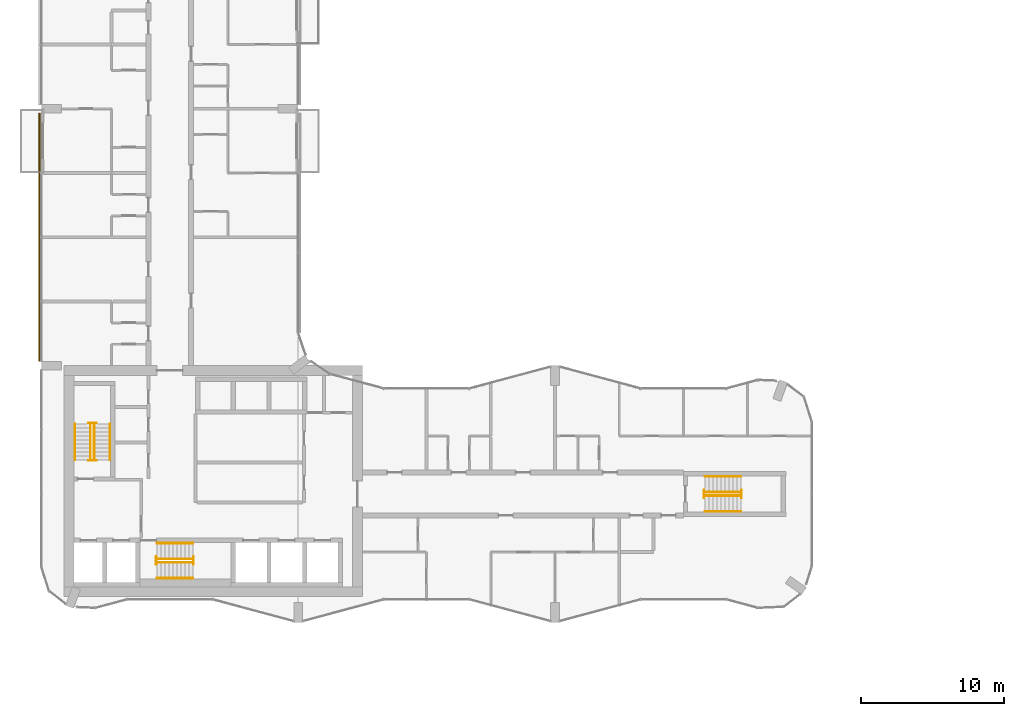
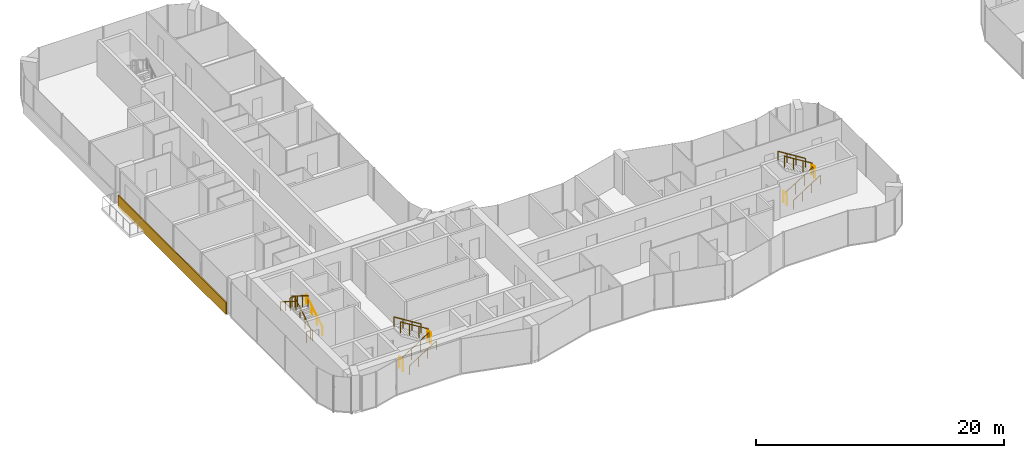
# One storey, part 20 of 22: 18 railings, 1 covering.
"""IFC4 building model written with IfcOpenShell, lengths in metres."""

from ifc_helpers import new_model, si_unit, direction, frame, origin, origin_2d, place, context, subcontext, project, spatial, rectangle, circle, extrude, material, layer, layer_set, type_object, element, save


model = new_model("IFC4")

# Units and contexts
model_context = context("Model", 3, precision=1e-05, world=origin(), true_north=direction((0.0, 1.0)))
body_context = subcontext(model_context, "Body", "Model", "MODEL_VIEW")
ifc_project = project(units=[si_unit("LENGTHUNIT", "METRE"), si_unit("AREAUNIT", "SQUARE_METRE"), si_unit("VOLUMEUNIT", "CUBIC_METRE"), si_unit("PLANEANGLEUNIT", "RADIAN"), si_unit("MASSUNIT", "GRAM", prefix="KILO")], contexts=[model_context])

# Site, building, storey
site_placement = place(None, origin())
site = spatial("IfcSite", under=ifc_project, at=site_placement, CompositionType="ELEMENT")
building_placement = place(site_placement, origin())
building = spatial("IfcBuilding", under=site, at=building_placement, Name="Plateau Cross Towers", CompositionType="ELEMENT")
storey_placement = place(building_placement, frame((0.0, 0.0, 65.300048828125)))
storey = spatial("IfcBuildingStorey", under=building, at=storey_placement, Name="L16", CompositionType="ELEMENT", Elevation=65.300048828125)

# Railings
ifc_material_1 = material(Name="Stainless steel and toughened glass", Category="steel")
railing_type_1 = type_object("IfcRailingType", Name="RL-GUARD-1100", PredefinedType="GUARDRAIL", material=ifc_material_1)
railing_1_placement = place(storey_placement, frame((3.699951171875, 11.39990234375, 0.175048828125)))
element("IfcRailing", 1, at=railing_1_placement, inside=storey, type_object=railing_type_1, Name="L16 ST-1 stair guard 1", PredefinedType="GUARDRAIL", context=body_context, shape_type="SweptSolid", body=[
    extrude(circle(Radius=0.02392578125, at=origin_2d()), frame((0.0, 0.0, 1.076171875), z_axis=(0.0, 0.848007534815, 0.529984170421), x_axis=(-1.0, 0.0, 0.0)), (0.0, 0.0, 1.0), 2.9716796875),
    extrude(circle(Radius=0.02099609375, at=origin_2d()), origin(), (0.0, 0.0, 1.0), 1.052001953125),
    extrude(circle(Radius=0.02099609375, at=origin_2d()), frame((0.0, 0.840087890625, 0.52490234375)), (0.0, 0.0, 1.0), 1.052001953125),
    extrude(circle(Radius=0.02099609375, at=origin_2d()), frame((0.0, 1.679931640625, 1.050048828125)), (0.0, 0.0, 1.0), 1.052001953125),
    extrude(circle(Radius=0.02099609375, at=origin_2d()), frame((0.0, 2.52001953125, 1.574951171875)), (0.0, 0.0, 1.0), 1.052001953125),
])
railing_2_placement = place(storey_placement, frame((3.85009765625, 13.969970703125, 1.75)))
element("IfcRailing", 2, at=railing_2_placement, inside=storey, type_object=railing_type_1, Name="L16 ST-1 stair guard 2", PredefinedType="GUARDRAIL", context=body_context, shape_type="SweptSolid", body=[
    extrude(circle(Radius=0.02392578125, at=origin_2d()), frame((0.0, 0.0, 1.076171875), z_axis=(-1.0, 0.0, 0.0), x_axis=(0.0, -1.0, 0.0)), (0.0, 0.0, 1.0), 0.550048828125),
    extrude(circle(Radius=0.02099609375, at=origin_2d()), origin(), (0.0, 0.0, 1.0), 1.052001953125),
    extrude(circle(Radius=0.02099609375, at=origin_2d()), frame((-0.550048828125, 0.0, 0.0)), (0.0, 0.0, 1.0), 1.052001953125),
])
railing_3_placement = place(storey_placement, frame((3.449951171875, 13.919921875, 1.925048828125)))
element("IfcRailing", 3, at=railing_3_placement, inside=storey, type_object=railing_type_1, Name="L16 ST-1 stair guard 3", PredefinedType="GUARDRAIL", context=body_context, shape_type="SweptSolid", body=[
    extrude(circle(Radius=0.02392578125, at=origin_2d()), frame((0.0, 0.0, 1.076171875), z_axis=(0.0, -0.852616386126, 0.522537365276), x_axis=(1.0, 0.0, 0.0)), (0.0, 0.0, 1.0), 3.01416015625),
    extrude(circle(Radius=0.02099609375, at=origin_2d()), origin(), (0.0, 0.0, 1.0), 1.052001953125),
    extrude(circle(Radius=0.02099609375, at=origin_2d()), frame((0.0, -0.856689453125, 0.52490234375)), (0.0, 0.0, 1.0), 1.052001953125),
    extrude(circle(Radius=0.02099609375, at=origin_2d()), frame((0.0, -1.713134765625, 1.050048828125)), (0.0, 0.0, 1.0), 1.052001953125),
    extrude(circle(Radius=0.02099609375, at=origin_2d()), frame((0.0, -2.56982421875, 1.574951171875)), (0.0, 0.0, 1.0), 1.052001953125),
])
railing_4_placement = place(storey_placement, frame((3.85009765625, 11.35009765625, 0.0)))
element("IfcRailing", 4, at=railing_4_placement, inside=storey, type_object=railing_type_1, Name="L16 ST-1 stair guard 4", PredefinedType="GUARDRAIL", context=body_context, shape_type="SweptSolid", body=[
    extrude(circle(Radius=0.02392578125, at=origin_2d()), frame((0.0, 0.0, 1.076171875), z_axis=(-1.0, 0.0, 0.0), x_axis=(0.0, -1.0, 0.0)), (0.0, 0.0, 1.0), 0.550048828125),
    extrude(circle(Radius=0.02099609375, at=origin_2d()), origin(), (0.0, 0.0, 1.0), 1.052001953125),
    extrude(circle(Radius=0.02099609375, at=origin_2d()), frame((-0.550048828125, 0.0, 0.0)), (0.0, 0.0, 1.0), 1.052001953125),
])
railing_5_placement = place(storey_placement, frame((8.10009765625, 4.199951171875, 0.175048828125)))
element("IfcRailing", 5, at=railing_5_placement, inside=storey, type_object=railing_type_1, Name="L16 ST-2 stair guard 1", PredefinedType="GUARDRAIL", context=body_context, shape_type="SweptSolid", body=[
    extrude(circle(Radius=0.02392578125, at=origin_2d()), frame((0.0, 0.0, 1.076171875), z_axis=(0.848007534815, 0.0, 0.529984170421), x_axis=(0.0, 1.0, 0.0)), (0.0, 0.0, 1.0), 2.9716796875),
    extrude(circle(Radius=0.02099609375, at=origin_2d()), origin(), (0.0, 0.0, 1.0), 1.052001953125),
    extrude(circle(Radius=0.02099609375, at=origin_2d()), frame((0.840087890625, 0.0, 0.52490234375)), (0.0, 0.0, 1.0), 1.052001953125),
    extrude(circle(Radius=0.02099609375, at=origin_2d()), frame((1.679931640625, 0.0, 1.050048828125)), (0.0, 0.0, 1.0), 1.052001953125),
    extrude(circle(Radius=0.02099609375, at=origin_2d()), frame((2.52001953125, 0.0, 1.574951171875)), (0.0, 0.0, 1.0), 1.052001953125),
])
railing_6_placement = place(storey_placement, frame((10.669921875, 4.050048828125, 1.75)))
element("IfcRailing", 6, at=railing_6_placement, inside=storey, type_object=railing_type_1, Name="L16 ST-2 stair guard 2", PredefinedType="GUARDRAIL", context=body_context, shape_type="SweptSolid", body=[
    extrude(circle(Radius=0.02392578125, at=origin_2d()), frame((0.0, 0.0, 1.076171875), z_axis=(0.0, 1.0, 0.0), x_axis=(-1.0, 0.0, 0.0)), (0.0, 0.0, 1.0), 0.550048828125),
    extrude(circle(Radius=0.02099609375, at=origin_2d()), origin(), (0.0, 0.0, 1.0), 1.052001953125),
    extrude(circle(Radius=0.02099609375, at=origin_2d()), frame((0.0, 0.550048828125, 0.0)), (0.0, 0.0, 1.0), 1.052001953125),
])
railing_7_placement = place(storey_placement, frame((10.6201171875, 4.449951171875, 1.925048828125)))
element("IfcRailing", 7, at=railing_7_placement, inside=storey, type_object=railing_type_1, Name="L16 ST-2 stair guard 3", PredefinedType="GUARDRAIL", context=body_context, shape_type="SweptSolid", body=[
    extrude(circle(Radius=0.02392578125, at=origin_2d()), frame((0.0, 0.0, 1.076171875), z_axis=(-0.852638500773, 0.0, 0.522501279423), x_axis=(0.0, -1.0, 0.0)), (0.0, 0.0, 1.0), 3.01416015625),
    extrude(circle(Radius=0.02099609375, at=origin_2d()), origin(), (0.0, 0.0, 1.0), 1.052001953125),
    extrude(circle(Radius=0.02099609375, at=origin_2d()), frame((-0.856689453125, 0.0, 0.52490234375)), (0.0, 0.0, 1.0), 1.052001953125),
    extrude(circle(Radius=0.02099609375, at=origin_2d()), frame((-1.71337890625, 0.0, 1.050048828125)), (0.0, 0.0, 1.0), 1.052001953125),
    extrude(circle(Radius=0.02099609375, at=origin_2d()), frame((-2.570068359375, 0.0, 1.574951171875)), (0.0, 0.0, 1.0), 1.052001953125),
])
railing_8_placement = place(storey_placement, frame((8.050048828125, 4.050048828125, 0.0)))
element("IfcRailing", 8, at=railing_8_placement, inside=storey, type_object=railing_type_1, Name="L16 ST-2 stair guard 4", PredefinedType="GUARDRAIL", context=body_context, shape_type="SweptSolid", body=[
    extrude(circle(Radius=0.02392578125, at=origin_2d()), frame((0.0, 0.0, 1.076171875), z_axis=(0.0, 1.0, 0.0), x_axis=(-1.0, 0.0, 0.0)), (0.0, 0.0, 1.0), 0.550048828125),
    extrude(circle(Radius=0.02099609375, at=origin_2d()), origin(), (0.0, 0.0, 1.0), 1.052001953125),
    extrude(circle(Radius=0.02099609375, at=origin_2d()), frame((0.0, 0.550048828125, 0.0)), (0.0, 0.0, 1.0), 1.052001953125),
])
railing_9_placement = place(storey_placement, frame((46.5, 8.875, 0.175048828125)))
element("IfcRailing", 9, at=railing_9_placement, inside=storey, type_object=railing_type_1, Name="L16 ES-E stair guard 1", PredefinedType="GUARDRAIL", context=body_context, shape_type="SweptSolid", body=[
    extrude(circle(Radius=0.02392578125, at=origin_2d()), frame((0.0, 0.0, 1.076171875), z_axis=(0.848007534815, 0.0, 0.529984170421), x_axis=(0.0, 1.0, 0.0)), (0.0, 0.0, 1.0), 2.9716796875),
    extrude(circle(Radius=0.02099609375, at=origin_2d()), origin(), (0.0, 0.0, 1.0), 1.052001953125),
    extrude(circle(Radius=0.02099609375, at=origin_2d()), frame((0.840087890625, 0.0, 0.52490234375)), (0.0, 0.0, 1.0), 1.052001953125),
    extrude(circle(Radius=0.02099609375, at=origin_2d()), frame((1.679931640625, 0.0, 1.050048828125)), (0.0, 0.0, 1.0), 1.052001953125),
    extrude(circle(Radius=0.02099609375, at=origin_2d()), frame((2.52001953125, 0.0, 1.574951171875)), (0.0, 0.0, 1.0), 1.052001953125),
])
railing_10_placement = place(storey_placement, frame((49.070068359375, 8.72509765625, 1.75)))
element("IfcRailing", 10, at=railing_10_placement, inside=storey, type_object=railing_type_1, Name="L16 ES-E stair guard 2", PredefinedType="GUARDRAIL", context=body_context, shape_type="SweptSolid", body=[
    extrude(circle(Radius=0.02392578125, at=origin_2d()), frame((0.0, 0.0, 1.076171875), z_axis=(0.0, 1.0, 0.0), x_axis=(-1.0, 0.0, 0.0)), (0.0, 0.0, 1.0), 0.5498046875),
    extrude(circle(Radius=0.02099609375, at=origin_2d()), origin(), (0.0, 0.0, 1.0), 1.052001953125),
    extrude(circle(Radius=0.02099609375, at=origin_2d()), frame((0.0, 0.5498046875, 0.0)), (0.0, 0.0, 1.0), 1.052001953125),
])
railing_11_placement = place(storey_placement, frame((49.02001953125, 9.125, 1.925048828125)))
element("IfcRailing", 11, at=railing_11_placement, inside=storey, type_object=railing_type_1, Name="L16 ES-E stair guard 3", PredefinedType="GUARDRAIL", context=body_context, shape_type="SweptSolid", body=[
    extrude(circle(Radius=0.02392578125, at=origin_2d()), frame((0.0, 0.0, 1.076171875), z_axis=(-0.852638500773, 0.0, 0.522501279423), x_axis=(0.0, -1.0, 0.0)), (0.0, 0.0, 1.0), 3.01416015625),
    extrude(circle(Radius=0.02099609375, at=origin_2d()), origin(), (0.0, 0.0, 1.0), 1.052001953125),
    extrude(circle(Radius=0.02099609375, at=origin_2d()), frame((-0.856689453125, 0.0, 0.52490234375)), (0.0, 0.0, 1.0), 1.052001953125),
    extrude(circle(Radius=0.02099609375, at=origin_2d()), frame((-1.71337890625, 0.0, 1.050048828125)), (0.0, 0.0, 1.0), 1.052001953125),
    extrude(circle(Radius=0.02099609375, at=origin_2d()), frame((-2.570068359375, 0.0, 1.574951171875)), (0.0, 0.0, 1.0), 1.052001953125),
])
railing_12_placement = place(storey_placement, frame((46.449951171875, 8.72509765625, 0.0)))
element("IfcRailing", 12, at=railing_12_placement, inside=storey, type_object=railing_type_1, Name="L16 ES-E stair guard 4", PredefinedType="GUARDRAIL", context=body_context, shape_type="SweptSolid", body=[
    extrude(circle(Radius=0.02392578125, at=origin_2d()), frame((0.0, 0.0, 1.076171875), z_axis=(0.0, 1.0, 0.0), x_axis=(-1.0, 0.0, 0.0)), (0.0, 0.0, 1.0), 0.5498046875),
    extrude(circle(Radius=0.02099609375, at=origin_2d()), origin(), (0.0, 0.0, 1.0), 1.052001953125),
    extrude(circle(Radius=0.02099609375, at=origin_2d()), frame((0.0, 0.5498046875, 0.0)), (0.0, 0.0, 1.0), 1.052001953125),
])
ifc_material_2 = material(Name="Black anodised aluminium", Category="aluminium")
railing_type_2 = type_object("IfcRailingType", Name="RL-HANDRAIL-900", PredefinedType="HANDRAIL", material=ifc_material_2)
railing_13_placement = place(storey_placement, frame((4.800048828125, 11.39990234375, 0.175048828125)))
element("IfcRailing", 13, at=railing_13_placement, inside=storey, type_object=railing_type_2, Name="L16 ST-1 stair handrail 1", PredefinedType="HANDRAIL", context=body_context, shape_type="SweptSolid", body=[
    extrude(circle(Radius=0.02392578125, at=origin_2d()), frame((0.0, 0.0, 0.8759765625), z_axis=(0.0, 0.848007534815, 0.529984170421), x_axis=(-1.0, 0.0, 0.0)), (0.0, 0.0, 1.0), 2.9716796875),
    extrude(circle(Radius=0.02099609375, at=origin_2d()), origin(), (0.0, 0.0, 1.0), 0.851806640625),
    extrude(circle(Radius=0.02099609375, at=origin_2d()), frame((0.0, 0.840087890625, 0.52490234375)), (0.0, 0.0, 1.0), 0.851806640625),
    extrude(circle(Radius=0.02099609375, at=origin_2d()), frame((0.0, 1.679931640625, 1.050048828125)), (0.0, 0.0, 1.0), 0.851806640625),
    extrude(circle(Radius=0.02099609375, at=origin_2d()), frame((0.0, 2.52001953125, 1.574951171875)), (0.0, 0.0, 1.0), 0.851806640625),
])
railing_14_placement = place(storey_placement, frame((2.35009765625, 13.919921875, 1.925048828125)))
element("IfcRailing", 14, at=railing_14_placement, inside=storey, type_object=railing_type_2, Name="L16 ST-1 stair handrail 2", PredefinedType="HANDRAIL", context=body_context, shape_type="SweptSolid", body=[
    extrude(circle(Radius=0.02392578125, at=origin_2d()), frame((0.0, 0.0, 0.8759765625), z_axis=(0.0, -0.848007534815, 0.529984170421), x_axis=(1.0, 0.0, 0.0)), (0.0, 0.0, 1.0), 2.9716796875),
    extrude(circle(Radius=0.02099609375, at=origin_2d()), origin(), (0.0, 0.0, 1.0), 0.851806640625),
    extrude(circle(Radius=0.02099609375, at=origin_2d()), frame((0.0, -0.840087890625, 0.52490234375)), (0.0, 0.0, 1.0), 0.851806640625),
    extrude(circle(Radius=0.02099609375, at=origin_2d()), frame((0.0, -1.679931640625, 1.050048828125)), (0.0, 0.0, 1.0), 0.851806640625),
    extrude(circle(Radius=0.02099609375, at=origin_2d()), frame((0.0, -2.52001953125, 1.574951171875)), (0.0, 0.0, 1.0), 0.851806640625),
])
railing_15_placement = place(storey_placement, frame((8.10009765625, 3.10009765625, 0.175048828125)))
element("IfcRailing", 15, at=railing_15_placement, inside=storey, type_object=railing_type_2, Name="L16 ST-2 stair handrail 1", PredefinedType="HANDRAIL", context=body_context, shape_type="SweptSolid", body=[
    extrude(circle(Radius=0.02392578125, at=origin_2d()), frame((0.0, 0.0, 0.8759765625), z_axis=(0.848007534815, 0.0, 0.529984170421), x_axis=(0.0, 1.0, 0.0)), (0.0, 0.0, 1.0), 2.9716796875),
    extrude(circle(Radius=0.02099609375, at=origin_2d()), origin(), (0.0, 0.0, 1.0), 0.851806640625),
    extrude(circle(Radius=0.02099609375, at=origin_2d()), frame((0.840087890625, 0.0, 0.52490234375)), (0.0, 0.0, 1.0), 0.851806640625),
    extrude(circle(Radius=0.02099609375, at=origin_2d()), frame((1.679931640625, 0.0, 1.050048828125)), (0.0, 0.0, 1.0), 0.851806640625),
    extrude(circle(Radius=0.02099609375, at=origin_2d()), frame((2.52001953125, 0.0, 1.574951171875)), (0.0, 0.0, 1.0), 0.851806640625),
])
railing_16_placement = place(storey_placement, frame((10.6201171875, 5.550048828125, 1.925048828125)))
element("IfcRailing", 16, at=railing_16_placement, inside=storey, type_object=railing_type_2, Name="L16 ST-2 stair handrail 2", PredefinedType="HANDRAIL", context=body_context, shape_type="SweptSolid", body=[
    extrude(circle(Radius=0.02392578125, at=origin_2d()), frame((0.0, 0.0, 0.8759765625), z_axis=(-0.848007534815, 0.0, 0.529984170421), x_axis=(0.0, -1.0, 0.0)), (0.0, 0.0, 1.0), 2.9716796875),
    extrude(circle(Radius=0.02099609375, at=origin_2d()), origin(), (0.0, 0.0, 1.0), 0.851806640625),
    extrude(circle(Radius=0.02099609375, at=origin_2d()), frame((-0.840087890625, 0.0, 0.52490234375)), (0.0, 0.0, 1.0), 0.851806640625),
    extrude(circle(Radius=0.02099609375, at=origin_2d()), frame((-1.679931640625, 0.0, 1.050048828125)), (0.0, 0.0, 1.0), 0.851806640625),
    extrude(circle(Radius=0.02099609375, at=origin_2d()), frame((-2.52001953125, 0.0, 1.574951171875)), (0.0, 0.0, 1.0), 0.851806640625),
])
railing_17_placement = place(storey_placement, frame((46.5, 7.77490234375, 0.175048828125)))
element("IfcRailing", 17, at=railing_17_placement, inside=storey, type_object=railing_type_2, Name="L16 ES-E stair handrail 1", PredefinedType="HANDRAIL", context=body_context, shape_type="SweptSolid", body=[
    extrude(circle(Radius=0.02392578125, at=origin_2d()), frame((0.0, 0.0, 0.8759765625), z_axis=(0.848007534815, 0.0, 0.529984170421), x_axis=(0.0, 1.0, 0.0)), (0.0, 0.0, 1.0), 2.9716796875),
    extrude(circle(Radius=0.02099609375, at=origin_2d()), origin(), (0.0, 0.0, 1.0), 0.851806640625),
    extrude(circle(Radius=0.02099609375, at=origin_2d()), frame((0.840087890625, 0.0, 0.52490234375)), (0.0, 0.0, 1.0), 0.851806640625),
    extrude(circle(Radius=0.02099609375, at=origin_2d()), frame((1.679931640625, 0.0, 1.050048828125)), (0.0, 0.0, 1.0), 0.851806640625),
    extrude(circle(Radius=0.02099609375, at=origin_2d()), frame((2.52001953125, 0.0, 1.574951171875)), (0.0, 0.0, 1.0), 0.851806640625),
])
railing_18_placement = place(storey_placement, frame((49.02001953125, 10.22509765625, 1.925048828125)))
element("IfcRailing", 18, at=railing_18_placement, inside=storey, type_object=railing_type_2, Name="L16 ES-E stair handrail 2", PredefinedType="HANDRAIL", context=body_context, shape_type="SweptSolid", body=[
    extrude(circle(Radius=0.02392578125, at=origin_2d()), frame((0.0, 0.0, 0.8759765625), z_axis=(-0.848007534815, 0.0, 0.529984170421), x_axis=(0.0, -1.0, 0.0)), (0.0, 0.0, 1.0), 2.9716796875),
    extrude(circle(Radius=0.02099609375, at=origin_2d()), origin(), (0.0, 0.0, 1.0), 0.851806640625),
    extrude(circle(Radius=0.02099609375, at=origin_2d()), frame((-0.840087890625, 0.0, 0.52490234375)), (0.0, 0.0, 1.0), 0.851806640625),
    extrude(circle(Radius=0.02099609375, at=origin_2d()), frame((-1.679931640625, 0.0, 1.050048828125)), (0.0, 0.0, 1.0), 0.851806640625),
    extrude(circle(Radius=0.02099609375, at=origin_2d()), frame((-2.52001953125, 0.0, 1.574951171875)), (0.0, 0.0, 1.0), 0.851806640625),
])

# Covering
ifc_material_3 = material(Name="Precast concrete cladding C40/50", Category="concrete")
ifc_layer = layer(ifc_material_3, 0.10009765625)
ifc_layer_set = layer_set([ifc_layer], Name="Precast concrete cladding C40/50")
covering_type = type_object("IfcCoveringType", Name="Spandrel band cladding 100x1200", PredefinedType="CLADDING", material=ifc_layer_set)
covering_placement = place(storey_placement, frame((-0.1201171875, 27.0, -0.25), z_axis=(0.0, 0.0, 1.0), x_axis=(0.0, -1.0, 0.0)))
element("IfcCovering", 19, at=covering_placement, inside=storey, type_object=covering_type, Name="Spandrel band", PredefinedType="CLADDING", context=body_context, shape_type="SweptSolid", body=[
    extrude(rectangle(XDim=17.39990234375, YDim=0.10009765625, at=origin_2d()), origin(), (0.0, 0.0, 1.0), 1.199951171875),
])

save(model, "model.ifc")
